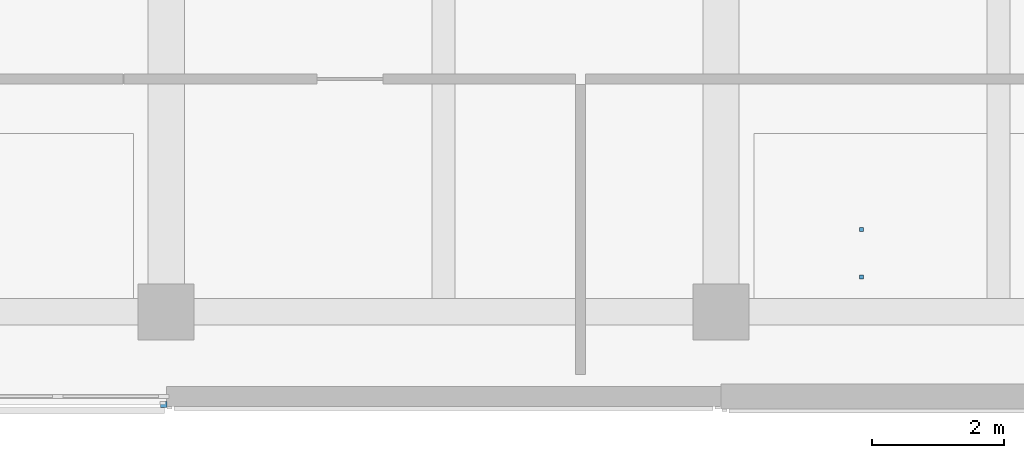
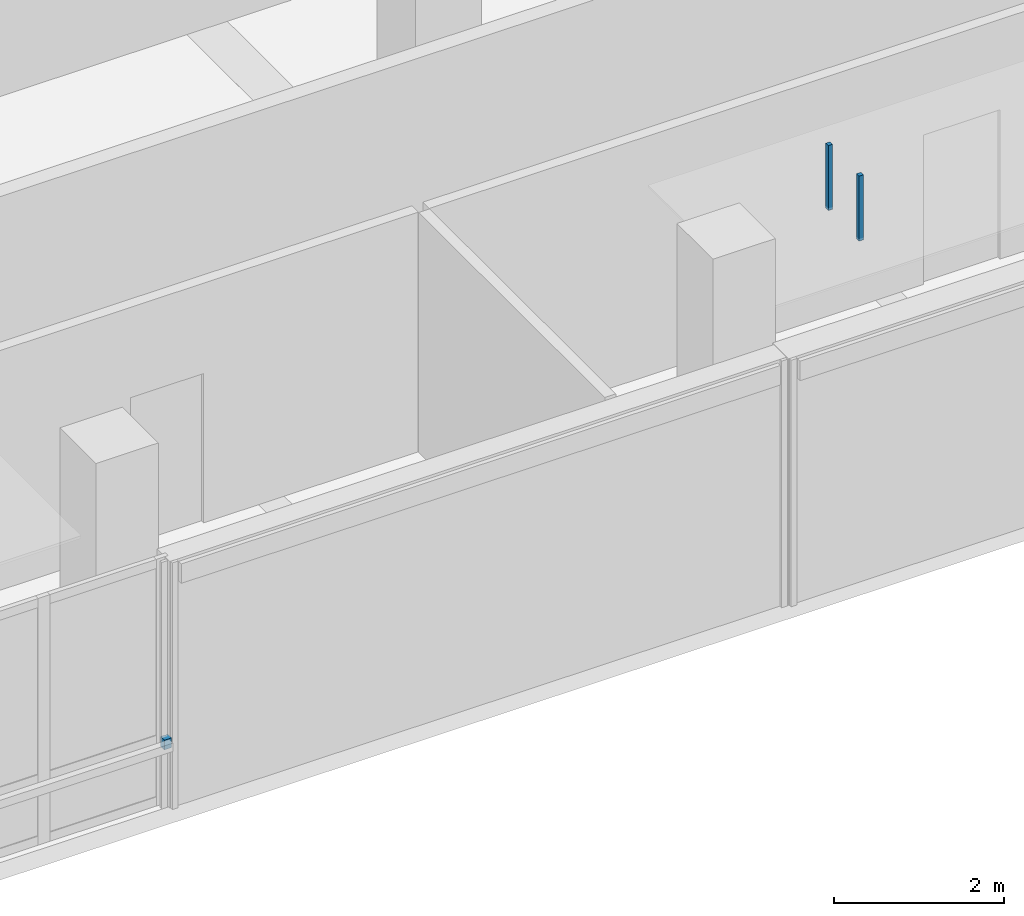
# One storey, part 18 of 39: 3 discrete accessories.
"""IFC4 building model written with IfcOpenShell, lengths in metres."""

from ifc_helpers import new_model, si_unit, direction, frame, origin, origin_2d, place, context, subcontext, project, spatial, rectangle, extrude, material, type_object, element, save


model = new_model("IFC4")

# Units and contexts
model_context = context("Model", 3, precision=1e-05, world=origin(), true_north=direction((0.0, 1.0)))
body_context = subcontext(model_context, "Body", "Model", "MODEL_VIEW")
ifc_project = project(units=[si_unit("LENGTHUNIT", "METRE"), si_unit("AREAUNIT", "SQUARE_METRE"), si_unit("VOLUMEUNIT", "CUBIC_METRE"), si_unit("PLANEANGLEUNIT", "RADIAN"), si_unit("MASSUNIT", "GRAM", prefix="KILO")], contexts=[model_context])

# Site, building, storey
site_placement = place(None, origin())
site = spatial("IfcSite", under=ifc_project, at=site_placement, CompositionType="ELEMENT")
building_placement = place(site_placement, origin())
building = spatial("IfcBuilding", under=site, at=building_placement, Name="Telukmera Botanical Conservatory", CompositionType="ELEMENT")
storey_placement = place(building_placement, frame((0.0, 0.0, 19.5)))
storey = spatial("IfcBuildingStorey", under=building, at=storey_placement, Name="L04", CompositionType="ELEMENT", Elevation=19.5)

# Discrete accessories
ifc_material = material(Name="Steel S355", Category="steel")
discrete_accessory_type_1 = type_object("IfcDiscreteAccessoryType", Name="ACC-CEIL-HGR", PredefinedType="BRACKET", material=ifc_material)
for number, where, z_axis, x_axis, name in (
    (1, (69.3251953125, 11.125, 3.320068359375), (0.0, 0.0, 1.0), (1.0, 0.0, 0.0), "L04 Suspended Ceiling Hanger Rod 031-1"),
    (2, (69.3251953125, 11.85009765625, 3.320068359375), (0.0, 0.0, 1.0), (1.0, 0.0, 0.0), "L04 Suspended Ceiling Hanger Rod 031-2"),
):
    element("IfcDiscreteAccessory", number, at=place(storey_placement, frame(where, z_axis=z_axis, x_axis=x_axis)), inside=storey, type_object=discrete_accessory_type_1, Name=name, PredefinedType="BRACKET", context=body_context, shape_type="SweptSolid", body=[
        extrude(rectangle(XDim=0.06005859375, YDim=0.06005859375, at=origin_2d()), origin(), (0.0, 0.0, 1.0), 0.93505859375),
    ])
discrete_accessory_type_2 = type_object("IfcDiscreteAccessoryType", Name="Structural Steel Facade Outrigger Fin Bracket", PredefinedType="BRACKET", material=ifc_material)
discrete_accessory_placement = place(storey_placement, frame((58.765380859375, 9.195068359375, 0.8798828125), z_axis=(0.0, 0.0, 1.0), x_axis=(1.0, 0.0, 0.0)))
element("IfcDiscreteAccessory", 3, at=discrete_accessory_placement, inside=storey, type_object=discrete_accessory_type_2, Name="Facade Outrigger Bracket V4:L04:S1 B", PredefinedType="BRACKET", context=body_context, shape_type="SweptSolid", body=[
    extrude(rectangle(XDim=0.10009765625, YDim=0.090087890625, at=origin_2d()), origin(), (0.0, 0.0, 1.0), 0.139892578125),
])

save(model, "model.ifc")
